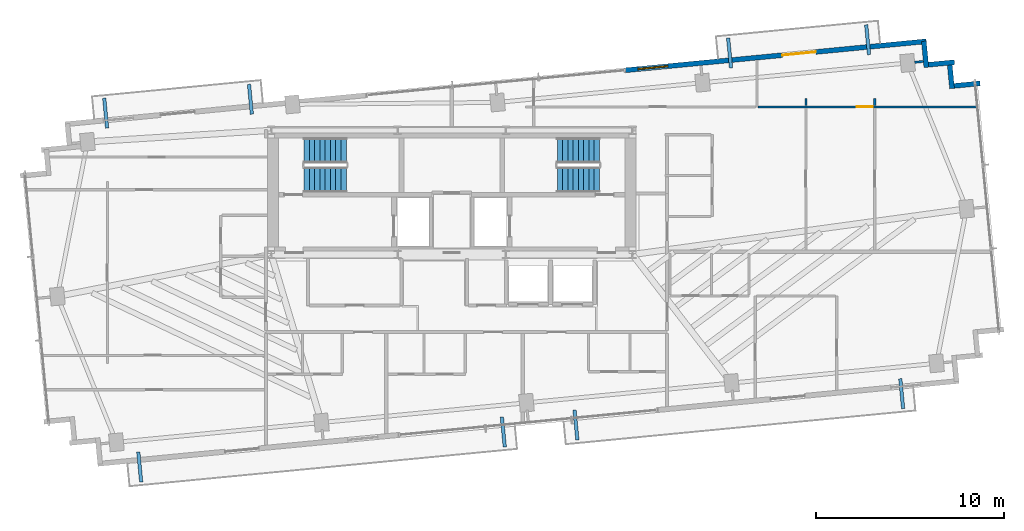
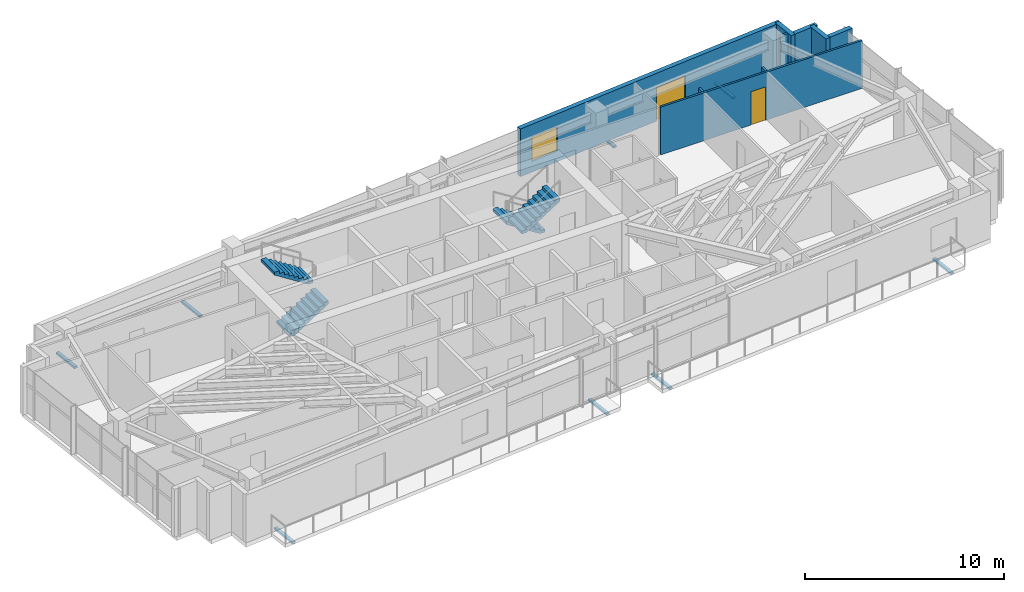
# One storey, part 16 of 18: 9 walls, 8 discrete accessories, 4 stair flights, 2 doors, 1 window, 3 openings, 2 elements without a shape of their own.
"""IFC4 building model written with IfcOpenShell, lengths in metres."""

from ifc_helpers import new_model, si_unit, direction, frame, frame_2d, origin, origin_2d, place, context, subcontext, project, spatial, polyline, rectangle, outline, extrude, source, transform, mapped, material, layer, layer_set, type_object, type_shapes, element, fill, aggregate, save


model = new_model("IFC4")

# Units and contexts
model_context = context("Model", 3, precision=1e-05, world=origin(), true_north=direction((0.0, 1.0)))
body_context = subcontext(model_context, "Body", "Model", "MODEL_VIEW")
ifc_project = project(units=[si_unit("LENGTHUNIT", "METRE"), si_unit("AREAUNIT", "SQUARE_METRE"), si_unit("VOLUMEUNIT", "CUBIC_METRE"), si_unit("PLANEANGLEUNIT", "RADIAN"), si_unit("MASSUNIT", "GRAM", prefix="KILO")], contexts=[model_context])

# Site, building, storey
site_placement = place(None, origin())
site = spatial("IfcSite", under=ifc_project, at=site_placement, CompositionType="ELEMENT")
building_placement = place(site_placement, origin())
building = spatial("IfcBuilding", under=site, at=building_placement, Name="Astriad Promenade Condominiums", CompositionType="ELEMENT")
storey_placement = place(building_placement, frame((0.0, 0.0, 189.0)))
storey = spatial("IfcBuildingStorey", under=building, at=storey_placement, Name="L54", CompositionType="ELEMENT", Elevation=189.0)

# Wall, openings, door, window
ifc_material_1 = material(Name="Precast concrete C50/60", Category="concrete")
ifc_layer_1 = layer(ifc_material_1, 0.260009765625)
ifc_layer_set_1 = layer_set([ifc_layer_1], Name="Precast concrete C50/60")
wall_type_1 = type_object("IfcWallType", Name="WALL-EXT-TWR-260", PredefinedType="STANDARD", material=ifc_layer_set_1)
wall_1_placement = place(storey_placement, frame((45.198974609375, 27.189697265625, 0.0), z_axis=(0.0, 0.0, 1.0), x_axis=(0.995397074604, 0.095836652014, 0.0)))
wall_1 = element("IfcWall", 1, at=wall_1_placement, inside=storey, type_object=wall_type_1, Name="W-EXT-L54-N2", PredefinedType="STANDARD", context=body_context, shape_type="SweptSolid", body=[
    extrude(rectangle(XDim=16.10009765625, YDim=0.260009765625, at=frame_2d((8.050048828125, 0.0))), origin(), (0.0, 0.0, 1.0), 2.93994140625),
])
opening_1_placement = place(wall_1_placement, frame((8.39990234375, 0.0, 0.0)))
opening_1 = element("IfcOpeningElement", 2, at=opening_1_placement, cuts=wall_1, Name="Opening BD-1822-SLD", PredefinedType="OPENING", context=body_context, shape_type="SweptSolid", body=[
    extrude(rectangle(XDim=1.800048828125, YDim=2.06005859375, at=frame_2d((0.89990234375, 1.030029296875))), frame((0.0, 0.139892578125, 0.0), z_axis=(0.0, -1.0, 0.0), x_axis=(1.0, 0.0, 0.0)), (0.0, 0.0, 1.0), 0.280029296875),
])
opening_2_placement = place(wall_1_placement, frame((0.699951171875, 0.0, 0.64990234375)))
opening_2 = element("IfcOpeningElement", 3, at=opening_2_placement, cuts=wall_1, Name="Opening WIN-TWR-1620", PredefinedType="OPENING", context=body_context, shape_type="SweptSolid", body=[
    extrude(rectangle(XDim=1.60009765625, YDim=1.5, at=frame_2d((0.800048828125, 0.75))), frame((0.0, 0.139892578125, 0.0), z_axis=(0.0, -1.0, 0.0), x_axis=(1.0, 0.0, 0.0)), (0.0, 0.0, 1.0), 0.280029296875),
])
ifc_material_2 = material(Name="Thermally Broken Aluminium Sliding Balcony Door", Category="aluminium")
door_type_1 = type_object("IfcDoorType", Name="BD-1822-SLD", OperationType="NOTDEFINED", PredefinedType="DOOR", material=ifc_material_2)
shared_shape_1 = source(origin(), body_context, "Body", "SweptSolid", [
    extrude(rectangle(XDim=1.800048828125, YDim=2.06005859375, at=frame_2d((0.89990234375, 1.030029296875))), frame((0.0, 0.02490234375, 0.0), z_axis=(0.0, -1.0, 0.0), x_axis=(1.0, 0.0, 0.0)), (0.0, 0.0, 1.0), 0.050048828125),
])
type_shapes(door_type_1, [shared_shape_1])
door_1_placement = place(opening_1_placement, origin())
door_1 = element("IfcDoor", 4, at=door_1_placement, inside=storey, type_object=door_type_1, Name="BD-L54-NE", OperationType="SLIDING_TO_RIGHT", OverallHeight=2.06005859375, OverallWidth=1.800048828125, PredefinedType="DOOR", context=body_context, shape_type="MappedRepresentation", body=[
    mapped(shared_shape_1, transform((0.0, 0.0, 0.0), scale=1.0)),
])
fill(opening_1, door_1)
ifc_material_3 = material(Name="Dark Tinted Triple-Glazed Aluminium Window", Category="aluminium")
window_type = type_object("IfcWindowType", Name="WIN-TWR-1620", PartitioningType="SINGLE_PANEL", PredefinedType="WINDOW", material=ifc_material_3)
shared_shape_2 = source(origin(), body_context, "Body", "SweptSolid", [
    extrude(rectangle(XDim=1.60009765625, YDim=1.5, at=frame_2d((0.800048828125, 0.75))), frame((0.0, 0.030029296875, 0.0), z_axis=(0.0, -1.0, 0.0), x_axis=(1.0, 0.0, 0.0)), (0.0, 0.0, 1.0), 0.06005859375),
])
type_shapes(window_type, [shared_shape_2])
window_placement = place(opening_2_placement, origin())
window = element("IfcWindow", 5, at=window_placement, inside=storey, type_object=window_type, Name="WIN-L54-NE", OverallHeight=1.5, OverallWidth=1.60009765625, PartitioningType="SINGLE_PANEL", PredefinedType="WINDOW", context=body_context, shape_type="MappedRepresentation", body=[
    mapped(shared_shape_2, transform((0.0, 0.0, 0.0), scale=1.0)),
])
fill(opening_2, window)

# Walls
wall_2_placement = place(storey_placement, frame((61.093994140625, 28.735107421875, 0.0), z_axis=(0.0, 0.0, 1.0), x_axis=(0.095742423056, -0.99540614245, 0.0)))
element("IfcWall", 6, at=wall_2_placement, inside=storey, type_object=wall_type_1, Name="W-SER-L54-09", PredefinedType="STANDARD", context=body_context, shape_type="SweptSolid", body=[
    extrude(rectangle(XDim=1.394775390625, YDim=0.260009765625, at=frame_2d((0.697265625, 0.0))), origin(), (0.0, 0.0, 1.0), 2.93994140625),
])
wall_3_placement = place(storey_placement, frame((61.32958984375, 27.487060546875, 0.0), z_axis=(0.0, 0.0, 1.0), x_axis=(0.995391056452, 0.09589913835, 0.0)))
element("IfcWall", 7, at=wall_3_placement, inside=storey, type_object=wall_type_1, Name="W-SER-L54-10", PredefinedType="STANDARD", context=body_context, shape_type="SweptSolid", body=[
    extrude(rectangle(XDim=1.39501953125, YDim=0.260009765625, at=frame_2d((0.697509765625, 0.0))), origin(), (0.0, 0.0, 1.0), 2.93994140625),
])
for number, where, z_axis, x_axis, name in (
    (8, (62.4580078125, 27.610595703125, 0.0), (0.0, 0.0, 1.0), (0.095915846097, -0.995389446633, 0.0), "W-SER-L54-11"),
    (9, (62.69384765625, 26.362548828125, 0.0), (0.0, 0.0, 1.0), (0.995389446633, 0.095915846097, 0.0), "W-SER-L54-12"),
):
    element("IfcWall", number, at=place(storey_placement, frame(where, z_axis=z_axis, x_axis=x_axis)), inside=storey, type_object=wall_type_1, Name=name, PredefinedType="STANDARD", context=body_context, shape_type="SweptSolid", body=[
        extrude(rectangle(XDim=1.394775390625, YDim=0.260009765625, at=frame_2d((0.697265625, 0.0))), origin(), (0.0, 0.0, 1.0), 2.93994140625),
    ])

# Wall, opening, door
ifc_material_4 = material(Name="Acoustic Metal-Stud Gypsum Partition")
ifc_layer_2 = layer(ifc_material_4, 0.1201171875)
ifc_layer_set_2 = layer_set([ifc_layer_2], Name="Acoustic Metal-Stud Gypsum Partition")
wall_type_2 = type_object("IfcWallType", Name="WALL-PART-120", PredefinedType="PARTITIONING", material=ifc_layer_set_2)
wall_4_placement = place(storey_placement, frame((52.280029296875, 25.2470703125, 0.0), z_axis=(0.0, 0.0, 1.0), x_axis=(1.0, 0.0, 0.0)))
wall_4 = element("IfcWall", 10, at=wall_4_placement, inside=storey, type_object=wall_type_2, Name="PT-L54-E2-B1-S3", PredefinedType="PARTITIONING", context=body_context, shape_type="SweptSolid", body=[
    extrude(rectangle(XDim=11.711669921875, YDim=0.1201171875, at=frame_2d((5.85595703125, 0.0))), origin(), (0.0, 0.0, 1.0), 2.93994140625),
])
opening_3_placement = place(wall_4_placement, frame((5.2470703125, 0.0, 0.0)))
opening_3 = element("IfcOpeningElement", 11, at=opening_3_placement, cuts=wall_4, Name="Opening D-INT-085", PredefinedType="OPENING", context=body_context, shape_type="SweptSolid", body=[
    extrude(rectangle(XDim=0.85009765625, YDim=2.050048828125, at=frame_2d((0.425048828125, 1.02490234375))), frame((0.0, 0.070068359375, 0.0), z_axis=(0.0, -1.0, 0.0), x_axis=(1.0, 0.0, 0.0)), (0.0, 0.0, 1.0), 0.14013671875),
])
ifc_material_5 = material(Name="Painted Solid-Core Timber Room Door", Category="wood")
door_type_2 = type_object("IfcDoorType", Name="D-INT-085", OperationType="NOTDEFINED", PredefinedType="DOOR", material=ifc_material_5)
shared_shape_3 = source(origin(), body_context, "Body", "SweptSolid", [
    extrude(rectangle(XDim=0.85009765625, YDim=2.050048828125, at=frame_2d((0.425048828125, 1.02490234375))), frame((0.0, 0.02490234375, 0.0), z_axis=(0.0, -1.0, 0.0), x_axis=(1.0, 0.0, 0.0)), (0.0, 0.0, 1.0), 0.050048828125),
])
type_shapes(door_type_2, [shared_shape_3])
door_2_placement = place(opening_3_placement, origin())
door_2 = element("IfcDoor", 12, at=door_2_placement, inside=storey, type_object=door_type_2, Name="D-BD1B-L54-E2", OperationType="SINGLE_SWING_LEFT", OverallHeight=2.050048828125, OverallWidth=0.85009765625, PredefinedType="DOOR", context=body_context, shape_type="MappedRepresentation", body=[
    mapped(shared_shape_3, transform((0.0, 0.0, 0.0), scale=1.0)),
])
fill(opening_3, door_2)

# Walls
for number, where, z_axis, x_axis, name in (
    (13, (58.488037109375, 25.30908203125, 0.0), (0.0, 0.0, 1.0), (0.0, 1.0, 0.0), "PT-L54-E2-WDV1-S2"),
    (14, (54.824951171875, 25.30908203125, 0.0), (0.0, 0.0, 1.0), (0.0, 1.0, 0.0), "PT-L54-E2-WDV2-S2"),
):
    element("IfcWall", number, at=place(storey_placement, frame(where, z_axis=z_axis, x_axis=x_axis)), inside=storey, type_object=wall_type_2, Name=name, PredefinedType="PARTITIONING", context=body_context, shape_type="SweptSolid", body=[
        extrude(rectangle(XDim=0.3779296875, YDim=0.1201171875, at=frame_2d((0.18896484375, 0.0))), origin(), (0.0, 0.0, 1.0), 2.93994140625),
    ])
wall_5_placement = place(storey_placement, frame((60.60888671875, 27.618408203125, 0.0), z_axis=(0.0, 0.0, 1.0), x_axis=(0.995384576284, 0.09596637586, 0.0)))
element("IfcWall", 15, at=wall_5_placement, inside=storey, type_object=wall_type_2, Name="PT-PIL-L54-PC10-17", PredefinedType="PARTITIONING", context=body_context, shape_type="SweptSolid", body=[
    extrude(rectangle(XDim=0.4580078125, YDim=0.1201171875, at=frame_2d((0.22900390625, 0.0))), origin(), (0.0, 0.0, 1.0), 2.93994140625),
])

# Stair, stair flights
ifc_material_6 = material(Name="Concrete C50/60", Category="concrete")
stair_type = type_object("IfcStairType", Name="STR-CORE-1350", PredefinedType="HALF_TURN_STAIR", material=ifc_material_6)
stair_1_placement = place(storey_placement, origin())
stair_1 = element("IfcStair", 16, at=stair_1_placement, inside=storey, type_object=stair_type, Name="L54 Enclosed Core Exit Stair ST-1", PredefinedType="HALF_TURN_STAIR")
stair_flight_type = type_object("IfcStairFlightType", Name="SFL-CORE-1350", PredefinedType="STRAIGHT", material=ifc_material_6)
shared_shape_4 = source(origin(), body_context, "Body", "SweptSolid", [
    extrude(outline(polyline([(0.0, 0.0), (0.0, 0.177734375), (0.280029296875, 0.177734375), (0.280029296875, 0.35546875), (0.56005859375, 0.35546875), (0.56005859375, 0.533447265625), (0.840087890625, 0.533447265625), (0.840087890625, 0.711181640625), (1.1201171875, 0.711181640625), (1.1201171875, 0.888916015625), (1.39990234375, 0.888916015625), (1.39990234375, 1.066650390625), (1.679931640625, 1.066650390625), (1.679931640625, 1.244384765625), (1.9599609375, 1.244384765625), (1.9599609375, 1.422119140625), (2.239990234375, 1.422119140625), (2.239990234375, 1.60009765625), (2.239990234375, 1.24462890625), (0.27978515625, 0.0), (0.0, 0.0)])), frame((0.0, 0.675048828125, 0.0), z_axis=(0.0, -1.0, 0.0), x_axis=(1.0, 0.0, 0.0)), (0.0, 0.0, 1.0), 1.35009765625),
])
type_shapes(stair_flight_type, [shared_shape_4])
stair_flight_1_placement = place(storey_placement, frame((28.14990234375, 21.375, 0.0), z_axis=(0.0, 0.0, 1.0), x_axis=(1.0, 0.0, 0.0)))
stair_flight_1 = element("IfcStairFlight", 17, at=stair_flight_1_placement, type_object=stair_flight_type, Name="ST-1 flight 1", NumberOfRisers=9, NumberOfTreads=8, PredefinedType="STRAIGHT", RiserHeight=0.177777778, TreadLength=0.28, context=body_context, shape_type="MappedRepresentation", body=[
    mapped(shared_shape_4, transform((0.0, 0.0, 0.0), scale=1.0)),
])
stair_flight_2_placement = place(storey_placement, frame((30.389892578125, 22.925048828125, 1.60009765625), z_axis=(0.0, 0.0, 1.0), x_axis=(-1.0, 0.0, 0.0)))
stair_flight_2 = element("IfcStairFlight", 18, at=stair_flight_2_placement, type_object=stair_flight_type, Name="ST-1 flight 2", NumberOfRisers=9, NumberOfTreads=8, PredefinedType="STRAIGHT", RiserHeight=0.177777778, TreadLength=0.28, context=body_context, shape_type="MappedRepresentation", body=[
    mapped(shared_shape_4, transform((0.0, 0.0, 0.0), scale=1.0)),
])
aggregate(stair_1, [stair_flight_1, stair_flight_2])

stair_2_placement = place(storey_placement, origin())
stair_2 = element("IfcStair", 19, at=stair_2_placement, inside=storey, type_object=stair_type, Name="L54 Enclosed Core Exit Stair ST-2", PredefinedType="HALF_TURN_STAIR")
stair_flight_3_placement = place(storey_placement, frame((43.85009765625, 22.925048828125, 0.0), z_axis=(0.0, 0.0, 1.0), x_axis=(-1.0, 0.0, 0.0)))
stair_flight_3 = element("IfcStairFlight", 20, at=stair_flight_3_placement, type_object=stair_flight_type, Name="ST-2 flight 1", NumberOfRisers=9, NumberOfTreads=8, PredefinedType="STRAIGHT", RiserHeight=0.177777778, TreadLength=0.28, context=body_context, shape_type="MappedRepresentation", body=[
    mapped(shared_shape_4, transform((0.0, 0.0, 0.0), scale=1.0)),
])
stair_flight_4_placement = place(storey_placement, frame((41.610107421875, 21.375, 1.60009765625), z_axis=(0.0, 0.0, 1.0), x_axis=(1.0, 0.0, 0.0)))
stair_flight_4 = element("IfcStairFlight", 21, at=stair_flight_4_placement, type_object=stair_flight_type, Name="ST-2 flight 2", NumberOfRisers=9, NumberOfTreads=8, PredefinedType="STRAIGHT", RiserHeight=0.177777778, TreadLength=0.28, context=body_context, shape_type="MappedRepresentation", body=[
    mapped(shared_shape_4, transform((0.0, 0.0, 0.0), scale=1.0)),
])
aggregate(stair_2, [stair_flight_3, stair_flight_4])

# Discrete accessories
ifc_material_7 = material(Name="Steel ASTM A572 Grade 50", Category="steel")
discrete_accessory_type = type_object("IfcDiscreteAccessoryType", Name="STEEL BALCONY OUTRIGGER BRACKET", PredefinedType="BRACKET", material=ifc_material_7)
shared_shape_5 = source(origin(), body_context, "Body", "SweptSolid", [
    extrude(rectangle(XDim=1.60009765625, YDim=0.179931640625, at=origin_2d()), origin(), (0.0, 0.0, 1.0), 0.1220703125),
])
type_shapes(discrete_accessory_type, [shared_shape_5])
for number, where, z_axis, x_axis, name in (
    (22, (19.41162109375, 6.100830078125, -0.340087890625), (0.0, 0.0, 1.0), (0.09584575252, -0.995396198367, 0.0), "Balcony Outrigger Bracket BAL-L54-SW-A"),
    (23, (38.739990234375, 7.9619140625, -0.340087890625), (0.0, 0.0, 1.0), (0.09584575252, -0.995396198367, 0.0), "Balcony Outrigger Bracket BAL-L54-SW-B"),
    (24, (42.60009765625, 8.333740234375, -0.340087890625), (0.0, 0.0, 1.0), (0.09584575252, -0.995396198367, 0.0), "Balcony Outrigger Bracket BAL-L54-SE-A"),
    (25, (59.9169921875, 10.001220703125, -0.340087890625), (0.0, 0.0, 1.0), (0.09584575252, -0.995396198367, 0.0), "Balcony Outrigger Bracket BAL-L54-SE-B"),
    (26, (17.60009765625, 24.913818359375, -0.340087890625), (0.0, 0.0, 1.0), (-0.09584575252, 0.995396198367, 0.0), "Balcony Outrigger Bracket BAL-L54-NW-A"),
    (27, (25.29443359375, 25.65478515625, -0.340087890625), (0.0, 0.0, 1.0), (-0.09584575252, 0.995396198367, 0.0), "Balcony Outrigger Bracket BAL-L54-NW-B"),
    (28, (50.7666015625, 28.107421875, -0.340087890625), (0.0, 0.0, 1.0), (-0.09584575252, 0.995396198367, 0.0), "Balcony Outrigger Bracket BAL-L54-NE-A"),
    (29, (58.105712890625, 28.814208984375, -0.340087890625), (0.0, 0.0, 1.0), (-0.09584575252, 0.995396198367, 0.0), "Balcony Outrigger Bracket BAL-L54-NE-B"),
):
    element("IfcDiscreteAccessory", number, at=place(storey_placement, frame(where, z_axis=z_axis, x_axis=x_axis)), inside=storey, type_object=discrete_accessory_type, Name=name, PredefinedType="BRACKET", context=body_context, shape_type="MappedRepresentation", body=[
        mapped(shared_shape_5, transform((0.0, 0.0, 0.0), scale=1.0)),
    ])

save(model, "model.ifc")
